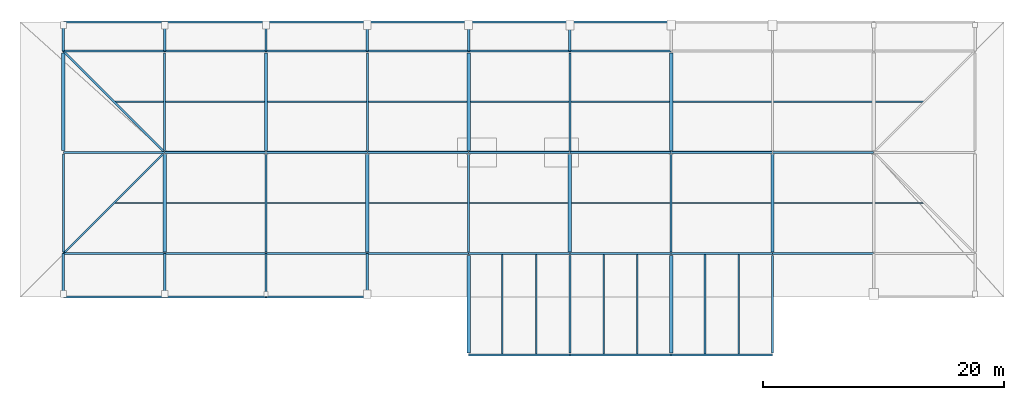
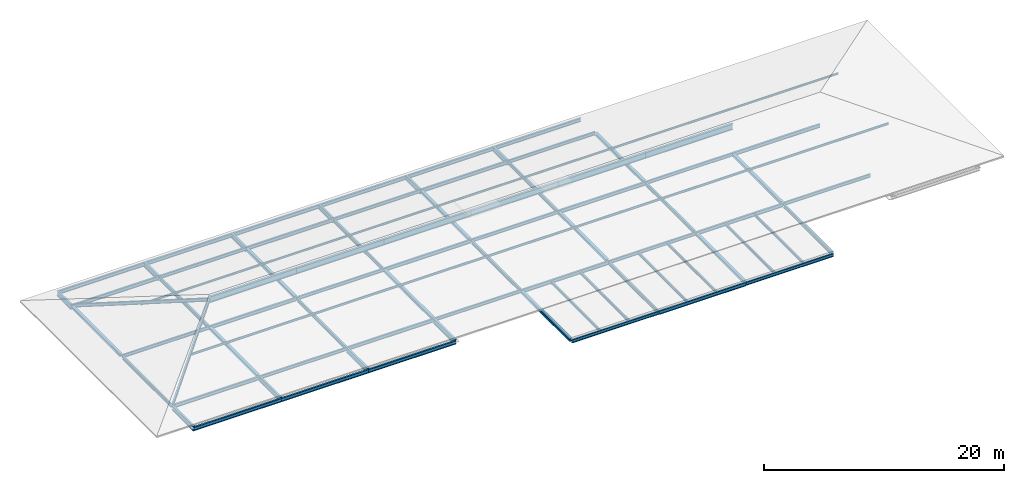
# One storey, part 3 of 5: 75 beams, 4 members.
"""IFC4 building model written with IfcOpenShell, lengths in metres."""

from ifc_helpers import new_model, si_unit, direction, frame, origin, origin_2d, place, context, subcontext, project, spatial, i_section, extrude, material, material_profile, profile_set, type_object, element, save


model = new_model("IFC4")

# Units and contexts
model_context = context("Model", 3, precision=1e-05, world=origin(), true_north=direction((0.0, 1.0)))
body_context = subcontext(model_context, "Body", "Model", "MODEL_VIEW")
ifc_project = project(units=[si_unit("LENGTHUNIT", "METRE"), si_unit("AREAUNIT", "SQUARE_METRE"), si_unit("VOLUMEUNIT", "CUBIC_METRE"), si_unit("PLANEANGLEUNIT", "RADIAN"), si_unit("MASSUNIT", "GRAM", prefix="KILO")], contexts=[model_context])

# Site, building, storey
site_placement = place(None, origin())
site = spatial("IfcSite", under=ifc_project, at=site_placement, CompositionType="ELEMENT")
building_placement = place(site_placement, origin())
building = spatial("IfcBuilding", under=site, at=building_placement, Name="Mersafa Astral City Hall", CompositionType="ELEMENT")
storey_placement = place(building_placement, frame((0.0, 0.0, 34.35009765625)))
storey = spatial("IfcBuildingStorey", under=building, at=storey_placement, Name="RF", CompositionType="ELEMENT", Elevation=34.35009765625)

# Beams
ifc_material = material(Name="Steel S355", Category="steel")
ifc_material_profile_1 = material_profile(ifc_material, i_section(OverallWidth=0.199951171875, OverallDepth=0.5, WebThickness=0.01025390625, FlangeThickness=0.01611328125, FilletRadius=0.02099609375, at=origin_2d()), Name="IPE 500")
ifc_profile_set_1 = profile_set([ifc_material_profile_1], Name="Steel S355")
beam_type_1 = type_object("IfcBeamType", Name="STR-BM-IPE500", PredefinedType="BEAM", material=ifc_profile_set_1)
beam_1_placement = place(storey_placement, frame((109.199951171875, 109.199951171875, -0.41015625), z_axis=(0.0, -1.0, 0.0), x_axis=(1.0, 0.0, 0.0)))
element("IfcBeam", 1, at=beam_1_placement, inside=storey, type_object=beam_type_1, Name="RF Cantilevered eave beam ROOF-T6-V6 S-13", PredefinedType="BEAM", context=body_context, shape_type="SweptSolid", body=[
    extrude(i_section(OverallWidth=0.199951171875, OverallDepth=0.5, WebThickness=0.01025390625, FlangeThickness=0.01611328125, FilletRadius=0.02099609375, at=origin_2d()), origin(), (0.0, 0.0, 1.0), 3.599853515625),
])
beam_2_placement = place(storey_placement, frame((109.199951171875, 126.0, -0.41015625), z_axis=(0.0, 1.0, 0.0), x_axis=(-1.0, 0.0, 0.0)))
element("IfcBeam", 2, at=beam_2_placement, inside=storey, type_object=beam_type_1, Name="RF Cantilevered eave beam ROOF-T6-V6 N-13", PredefinedType="BEAM", context=body_context, shape_type="SweptSolid", body=[
    extrude(i_section(OverallWidth=0.199951171875, OverallDepth=0.5, WebThickness=0.01025390625, FlangeThickness=0.01611328125, FilletRadius=0.02099609375, at=origin_2d()), origin(), (0.0, 0.0, 1.0), 2.39990234375),
])
beam_3_placement = place(storey_placement, frame((117.60009765625, 109.199951171875, -0.41015625), z_axis=(0.0, -1.0, 0.0), x_axis=(1.0, 0.0, 0.0)))
element("IfcBeam", 3, at=beam_3_placement, inside=storey, type_object=beam_type_1, Name="RF Cantilevered eave beam ROOF-T6-V6 S-14", PredefinedType="BEAM", context=body_context, shape_type="SweptSolid", body=[
    extrude(i_section(OverallWidth=0.199951171875, OverallDepth=0.5, WebThickness=0.01025390625, FlangeThickness=0.01611328125, FilletRadius=0.02099609375, at=origin_2d()), origin(), (0.0, 0.0, 1.0), 3.599853515625),
])
beam_4_placement = place(storey_placement, frame((117.60009765625, 126.0, -0.41015625), z_axis=(0.0, 1.0, 0.0), x_axis=(-1.0, 0.0, 0.0)))
element("IfcBeam", 4, at=beam_4_placement, inside=storey, type_object=beam_type_1, Name="RF Cantilevered eave beam ROOF-T6-V6 N-14", PredefinedType="BEAM", context=body_context, shape_type="SweptSolid", body=[
    extrude(i_section(OverallWidth=0.199951171875, OverallDepth=0.5, WebThickness=0.01025390625, FlangeThickness=0.01611328125, FilletRadius=0.02099609375, at=origin_2d()), origin(), (0.0, 0.0, 1.0), 2.39990234375),
])
beam_5_placement = place(storey_placement, frame((126.0, 109.199951171875, -0.41015625), z_axis=(0.0, -1.0, 0.0), x_axis=(1.0, 0.0, 0.0)))
element("IfcBeam", 5, at=beam_5_placement, inside=storey, type_object=beam_type_1, Name="RF Cantilevered eave beam ROOF-T6-V6 S-15", PredefinedType="BEAM", context=body_context, shape_type="SweptSolid", body=[
    extrude(i_section(OverallWidth=0.199951171875, OverallDepth=0.5, WebThickness=0.01025390625, FlangeThickness=0.01611328125, FilletRadius=0.02099609375, at=origin_2d()), origin(), (0.0, 0.0, 1.0), 3.599853515625),
])
beam_6_placement = place(storey_placement, frame((126.0, 126.0, -0.41015625), z_axis=(0.0, 1.0, 0.0), x_axis=(-1.0, 0.0, 0.0)))
element("IfcBeam", 6, at=beam_6_placement, inside=storey, type_object=beam_type_1, Name="RF Cantilevered eave beam ROOF-T6-V6 N-15", PredefinedType="BEAM", context=body_context, shape_type="SweptSolid", body=[
    extrude(i_section(OverallWidth=0.199951171875, OverallDepth=0.5, WebThickness=0.01025390625, FlangeThickness=0.01611328125, FilletRadius=0.02099609375, at=origin_2d()), origin(), (0.0, 0.0, 1.0), 2.39990234375),
])
beam_7_placement = place(storey_placement, frame((134.39990234375, 109.199951171875, -0.41015625), z_axis=(0.0, -1.0, 0.0), x_axis=(1.0, 0.0, 0.0)))
element("IfcBeam", 7, at=beam_7_placement, inside=storey, type_object=beam_type_1, Name="RF Cantilevered eave beam ROOF-T6-V6 S-16", PredefinedType="BEAM", context=body_context, shape_type="SweptSolid", body=[
    extrude(i_section(OverallWidth=0.199951171875, OverallDepth=0.5, WebThickness=0.01025390625, FlangeThickness=0.01611328125, FilletRadius=0.02099609375, at=origin_2d()), origin(), (0.0, 0.0, 1.0), 3.599853515625),
])
for number, where, z_axis, x_axis, name in (
    (8, (134.39990234375, 126.0, -0.41015625), (0.0, 1.0, 0.0), (-1.0, 0.0, 0.0), "RF Cantilevered eave beam ROOF-T6-V6 N-16"),
    (9, (142.800048828125, 126.0, -0.41015625), (0.0, 1.0, 0.0), (-1.0, 0.0, 0.0), "RF Cantilevered eave beam ROOF-T6-V6 N-17"),
    (10, (151.199951171875, 126.0, -0.41015625), (0.0, 1.0, 0.0), (-1.0, 0.0, 0.0), "RF Cantilevered eave beam ROOF-T6-V6 N-18"),
):
    element("IfcBeam", number, at=place(storey_placement, frame(where, z_axis=z_axis, x_axis=x_axis)), inside=storey, type_object=beam_type_1, Name=name, PredefinedType="BEAM", context=body_context, shape_type="SweptSolid", body=[
        extrude(i_section(OverallWidth=0.199951171875, OverallDepth=0.5, WebThickness=0.01025390625, FlangeThickness=0.01611328125, FilletRadius=0.02099609375, at=origin_2d()), origin(), (0.0, 0.0, 1.0), 2.39990234375),
    ])
ifc_material_profile_2 = material_profile(ifc_material, i_section(OverallWidth=0.219970703125, OverallDepth=0.60009765625, WebThickness=0.011962890625, FlangeThickness=0.01904296875, FilletRadius=0.02392578125, at=origin_2d()), Name="IPE 600")
ifc_profile_set_2 = profile_set([ifc_material_profile_2], Name="Steel S355")
beam_type_2 = type_object("IfcBeamType", Name="STR-BM-IPE600", PredefinedType="BEAM", material=ifc_profile_set_2)
for number, where, z_axis, x_axis, name in (
    (11, (117.60009765625, 117.60009765625, 2.521728515625), (1.0, 0.0, 0.0), (0.0, 1.0, 0.0), "RF Hipped roof ridge beam ROOF-T6-V6-1"),
    (12, (126.0, 117.60009765625, 2.521728515625), (1.0, 0.0, 0.0), (0.0, 1.0, 0.0), "RF Hipped roof ridge beam ROOF-T6-V6-2"),
):
    element("IfcBeam", number, at=place(storey_placement, frame(where, z_axis=z_axis, x_axis=x_axis)), inside=storey, type_object=beam_type_2, Name=name, PredefinedType="BEAM", context=body_context, shape_type="SweptSolid", body=[
        extrude(i_section(OverallWidth=0.219970703125, OverallDepth=0.60009765625, WebThickness=0.011962890625, FlangeThickness=0.01904296875, FilletRadius=0.02392578125, at=origin_2d()), origin(), (0.0, 0.0, 1.0), 8.39990234375),
    ])
beam_8_placement = place(storey_placement, frame((134.39990234375, 117.60009765625, 2.521728515625), z_axis=(1.0, 0.0, 0.0), x_axis=(0.0, 1.0, 0.0)))
element("IfcBeam", 13, at=beam_8_placement, inside=storey, type_object=beam_type_2, Name="RF Hipped roof ridge beam ROOF-T6-V6-3", PredefinedType="BEAM", context=body_context, shape_type="SweptSolid", body=[
    extrude(i_section(OverallWidth=0.219970703125, OverallDepth=0.60009765625, WebThickness=0.011962890625, FlangeThickness=0.01904296875, FilletRadius=0.02392578125, at=origin_2d()), origin(), (0.0, 0.0, 1.0), 8.400146484375),
])
beam_9_placement = place(storey_placement, frame((142.800048828125, 117.60009765625, 2.521728515625), z_axis=(1.0, 0.0, 0.0), x_axis=(0.0, 1.0, 0.0)))
element("IfcBeam", 14, at=beam_9_placement, inside=storey, type_object=beam_type_2, Name="RF Hipped roof ridge beam ROOF-T6-V6-4", PredefinedType="BEAM", context=body_context, shape_type="SweptSolid", body=[
    extrude(i_section(OverallWidth=0.219970703125, OverallDepth=0.60009765625, WebThickness=0.011962890625, FlangeThickness=0.01904296875, FilletRadius=0.02392578125, at=origin_2d()), origin(), (0.0, 0.0, 1.0), 8.39990234375),
])
beam_10_placement = place(storey_placement, frame((151.199951171875, 117.60009765625, 2.521728515625), z_axis=(1.0, 0.0, 0.0), x_axis=(0.0, 1.0, 0.0)))
element("IfcBeam", 15, at=beam_10_placement, inside=storey, type_object=beam_type_2, Name="RF Hipped roof ridge beam ROOF-T6-V6-5", PredefinedType="BEAM", context=body_context, shape_type="SweptSolid", body=[
    extrude(i_section(OverallWidth=0.219970703125, OverallDepth=0.60009765625, WebThickness=0.011962890625, FlangeThickness=0.01904296875, FilletRadius=0.02392578125, at=origin_2d()), origin(), (0.0, 0.0, 1.0), 8.400146484375),
])
beam_11_placement = place(storey_placement, frame((159.60009765625, 117.60009765625, 2.521728515625), z_axis=(1.0, 0.0, 0.0), x_axis=(0.0, 1.0, 0.0)))
element("IfcBeam", 16, at=beam_11_placement, inside=storey, type_object=beam_type_2, Name="RF Hipped roof ridge beam ROOF-T6-V6-6", PredefinedType="BEAM", context=body_context, shape_type="SweptSolid", body=[
    extrude(i_section(OverallWidth=0.219970703125, OverallDepth=0.60009765625, WebThickness=0.011962890625, FlangeThickness=0.01904296875, FilletRadius=0.02392578125, at=origin_2d()), origin(), (0.0, 0.0, 1.0), 8.39990234375),
])
ifc_material_profile_3 = material_profile(ifc_material, i_section(OverallWidth=0.135009765625, OverallDepth=0.27001953125, WebThickness=0.006591796875, FlangeThickness=0.01025390625, FilletRadius=0.014892578125, at=origin_2d()), Name="IPE 270")
ifc_profile_set_3 = profile_set([ifc_material_profile_3], Name="Steel S355")
beam_type_3 = type_object("IfcBeamType", Name="STR-BM-JOIST-IPE270", PredefinedType="JOIST", material=ifc_profile_set_3)
for number, where, z_axis, x_axis, name in (
    (17, (145.60009765625, 100.875, -0.335205078125), (0.0, 1.0, 0.0), (-1.0, 0.0, 0.0), "RF Flat roof secondary joist 1"),
    (18, (148.39990234375, 100.875, -0.335205078125), (0.0, 1.0, 0.0), (-1.0, 0.0, 0.0), "RF Flat roof secondary joist 2"),
    (19, (154.0, 100.8798828125, -0.335205078125), (0.0, 1.0, 0.0), (-1.0, 0.0, 0.0), "RF Flat roof secondary joist 3"),
    (20, (156.800048828125, 100.8798828125, -0.335205078125), (0.0, 1.0, 0.0), (-1.0, 0.0, 0.0), "RF Flat roof secondary joist 4"),
    (21, (162.39990234375, 100.875, -0.335205078125), (0.0, 1.0, 0.0), (-1.0, 0.0, 0.0), "RF Flat roof secondary joist 5"),
    (22, (165.199951171875, 100.875, -0.335205078125), (0.0, 1.0, 0.0), (-1.0, 0.0, 0.0), "RF Flat roof secondary joist 6"),
):
    element("IfcBeam", number, at=place(storey_placement, frame(where, z_axis=z_axis, x_axis=x_axis)), inside=storey, type_object=beam_type_3, Name=name, PredefinedType="JOIST", context=body_context, shape_type="SweptSolid", body=[
        extrude(i_section(OverallWidth=0.135009765625, OverallDepth=0.27001953125, WebThickness=0.006591796875, FlangeThickness=0.01025390625, FilletRadius=0.014892578125, at=origin_2d()), origin(), (0.0, 0.0, 1.0), 8.2451171875),
    ])
ifc_material_profile_4 = material_profile(ifc_material, i_section(OverallWidth=0.280029296875, OverallDepth=0.27001953125, WebThickness=0.008056640625, FlangeThickness=0.012939453125, FilletRadius=0.02392578125, at=origin_2d()), Name="HEA 280")
ifc_profile_set_4 = profile_set([ifc_material_profile_4], Name="Steel S355")
beam_type_4 = type_object("IfcBeamType", Name="STR-BM-SPANDREL-HEA280", PredefinedType="SPANDREL", material=ifc_profile_set_4)
beam_12_placement = place(storey_placement, frame((109.199951171875, 117.7451171875, -0.295166015625), z_axis=(0.0, 1.0, 0.0), x_axis=(-1.0, 0.0, 0.0)))
element("IfcBeam", 23, at=beam_12_placement, inside=storey, type_object=beam_type_4, Name="RF Primary girder Y 13-14", PredefinedType="SPANDREL", context=body_context, shape_type="SweptSolid", body=[
    extrude(i_section(OverallWidth=0.280029296875, OverallDepth=0.27001953125, WebThickness=0.008056640625, FlangeThickness=0.012939453125, FilletRadius=0.02392578125, at=origin_2d()), origin(), (0.0, 0.0, 1.0), 8.10986328125),
])
beam_13_placement = place(storey_placement, frame((117.60009765625, 109.344970703125, -0.295166015625), z_axis=(0.0, 1.0, 0.0), x_axis=(-1.0, 0.0, 0.0)))
element("IfcBeam", 24, at=beam_13_placement, inside=storey, type_object=beam_type_4, Name="RF Primary girder Y 14-13", PredefinedType="SPANDREL", context=body_context, shape_type="SweptSolid", body=[
    extrude(i_section(OverallWidth=0.280029296875, OverallDepth=0.27001953125, WebThickness=0.008056640625, FlangeThickness=0.012939453125, FilletRadius=0.02392578125, at=origin_2d()), origin(), (0.0, 0.0, 1.0), 8.110107421875),
])
beam_14_placement = place(storey_placement, frame((126.0, 117.7451171875, -0.295166015625), z_axis=(0.0, 1.0, 0.0), x_axis=(-1.0, 0.0, 0.0)))
element("IfcBeam", 25, at=beam_14_placement, inside=storey, type_object=beam_type_4, Name="RF Primary girder Y 15-14", PredefinedType="SPANDREL", context=body_context, shape_type="SweptSolid", body=[
    extrude(i_section(OverallWidth=0.280029296875, OverallDepth=0.27001953125, WebThickness=0.008056640625, FlangeThickness=0.012939453125, FilletRadius=0.02392578125, at=origin_2d()), origin(), (0.0, 0.0, 1.0), 8.10986328125),
])
beam_15_placement = place(storey_placement, frame((134.39990234375, 109.344970703125, -0.295166015625), z_axis=(0.0, 1.0, 0.0), x_axis=(-1.0, 0.0, 0.0)))
element("IfcBeam", 26, at=beam_15_placement, inside=storey, type_object=beam_type_4, Name="RF Primary girder Y 16-13", PredefinedType="SPANDREL", context=body_context, shape_type="SweptSolid", body=[
    extrude(i_section(OverallWidth=0.280029296875, OverallDepth=0.27001953125, WebThickness=0.008056640625, FlangeThickness=0.012939453125, FilletRadius=0.02392578125, at=origin_2d()), origin(), (0.0, 0.0, 1.0), 8.110107421875),
])
for number, where, z_axis, x_axis, name in (
    (27, (142.800048828125, 100.945068359375, -0.335205078125), (0.0, 1.0, 0.0), (-1.0, 0.0, 0.0), "RF Primary girder Y 17-12"),
    (28, (142.800048828125, 117.7451171875, -0.295166015625), (0.0, 1.0, 0.0), (-1.0, 0.0, 0.0), "RF Primary girder Y 17-14"),
):
    element("IfcBeam", number, at=place(storey_placement, frame(where, z_axis=z_axis, x_axis=x_axis)), inside=storey, type_object=beam_type_4, Name=name, PredefinedType="SPANDREL", context=body_context, shape_type="SweptSolid", body=[
        extrude(i_section(OverallWidth=0.280029296875, OverallDepth=0.27001953125, WebThickness=0.008056640625, FlangeThickness=0.012939453125, FilletRadius=0.02392578125, at=origin_2d()), origin(), (0.0, 0.0, 1.0), 8.10986328125),
    ])
beam_16_placement = place(storey_placement, frame((151.199951171875, 109.344970703125, -0.295166015625), z_axis=(0.0, 1.0, 0.0), x_axis=(-1.0, 0.0, 0.0)))
element("IfcBeam", 29, at=beam_16_placement, inside=storey, type_object=beam_type_4, Name="RF Primary girder Y 18-13", PredefinedType="SPANDREL", context=body_context, shape_type="SweptSolid", body=[
    extrude(i_section(OverallWidth=0.280029296875, OverallDepth=0.27001953125, WebThickness=0.008056640625, FlangeThickness=0.012939453125, FilletRadius=0.02392578125, at=origin_2d()), origin(), (0.0, 0.0, 1.0), 8.110107421875),
])
for number, where, z_axis, x_axis, name in (
    (30, (159.60009765625, 100.945068359375, -0.335205078125), (0.0, 1.0, 0.0), (-1.0, 0.0, 0.0), "RF Primary girder Y 19-12"),
    (31, (159.60009765625, 117.7451171875, -0.295166015625), (0.0, 1.0, 0.0), (-1.0, 0.0, 0.0), "RF Primary girder Y 19-14"),
):
    element("IfcBeam", number, at=place(storey_placement, frame(where, z_axis=z_axis, x_axis=x_axis)), inside=storey, type_object=beam_type_4, Name=name, PredefinedType="SPANDREL", context=body_context, shape_type="SweptSolid", body=[
        extrude(i_section(OverallWidth=0.280029296875, OverallDepth=0.27001953125, WebThickness=0.008056640625, FlangeThickness=0.012939453125, FilletRadius=0.02392578125, at=origin_2d()), origin(), (0.0, 0.0, 1.0), 8.10986328125),
    ])
beam_17_placement = place(storey_placement, frame((168.0, 109.344970703125, -0.295166015625), z_axis=(0.0, 1.0, 0.0), x_axis=(-1.0, 0.0, 0.0)))
element("IfcBeam", 32, at=beam_17_placement, inside=storey, type_object=beam_type_4, Name="RF Primary girder Y 20-13", PredefinedType="SPANDREL", context=body_context, shape_type="SweptSolid", body=[
    extrude(i_section(OverallWidth=0.280029296875, OverallDepth=0.27001953125, WebThickness=0.008056640625, FlangeThickness=0.012939453125, FilletRadius=0.02392578125, at=origin_2d()), origin(), (0.0, 0.0, 1.0), 8.110107421875),
])
ifc_material_profile_5 = material_profile(ifc_material, i_section(OverallWidth=0.159912109375, OverallDepth=0.330078125, WebThickness=0.007568359375, FlangeThickness=0.011474609375, FilletRadius=0.01806640625, at=origin_2d()), Name="IPE 330")
ifc_profile_set_5 = profile_set([ifc_material_profile_5], Name="Steel S355")
beam_type_5 = type_object("IfcBeamType", Name="STR-BM-SPANDREL-IPE330", PredefinedType="SPANDREL", material=ifc_profile_set_5)
for number, where, z_axis, x_axis, name in (
    (33, (142.802978515625, 100.800048828125, -0.364990234375), (1.0, 0.0, 0.0), (0.0, 1.0, 0.0), "RF Primary girder X 17-12"),
    (34, (159.60302734375, 100.800048828125, -0.364990234375), (1.0, 0.0, 0.0), (0.0, 1.0, 0.0), "RF Primary girder X 19-12"),
    (35, (117.60302734375, 109.199951171875, -0.3251953125), (1.0, 0.0, 0.0), (0.0, 1.0, 0.0), "RF Primary girder X 14-13"),
    (36, (134.403076171875, 109.199951171875, -0.3251953125), (1.0, 0.0, 0.0), (0.0, 1.0, 0.0), "RF Primary girder X 16-13"),
    (37, (151.202880859375, 109.199951171875, -0.364990234375), (1.0, 0.0, 0.0), (0.0, 1.0, 0.0), "RF Primary girder X 18-13"),
    (38, (168.0029296875, 109.199951171875, -0.3251953125), (1.0, 0.0, 0.0), (0.0, 1.0, 0.0), "RF Primary girder X 20-13"),
    (39, (109.202880859375, 117.60009765625, -0.3251953125), (1.0, 0.0, 0.0), (0.0, 1.0, 0.0), "RF Primary girder X 13-14"),
    (40, (126.0029296875, 117.60009765625, -0.3251953125), (1.0, 0.0, 0.0), (0.0, 1.0, 0.0), "RF Primary girder X 15-14"),
    (41, (142.802978515625, 117.60009765625, -0.3251953125), (1.0, 0.0, 0.0), (0.0, 1.0, 0.0), "RF Primary girder X 17-14"),
    (42, (159.60302734375, 117.60009765625, -0.3251953125), (1.0, 0.0, 0.0), (0.0, 1.0, 0.0), "RF Primary girder X 19-14"),
    (43, (117.60302734375, 126.0, -0.3251953125), (1.0, 0.0, 0.0), (0.0, 1.0, 0.0), "RF Primary girder X 14-15"),
    (44, (134.403076171875, 126.0, -0.3251953125), (1.0, 0.0, 0.0), (0.0, 1.0, 0.0), "RF Primary girder X 16-15"),
    (45, (151.202880859375, 126.0, -0.3251953125), (1.0, 0.0, 0.0), (0.0, 1.0, 0.0), "RF Primary girder X 18-15"),
):
    element("IfcBeam", number, at=place(storey_placement, frame(where, z_axis=z_axis, x_axis=x_axis)), inside=storey, type_object=beam_type_5, Name=name, PredefinedType="SPANDREL", context=body_context, shape_type="SweptSolid", body=[
        extrude(i_section(OverallWidth=0.159912109375, OverallDepth=0.330078125, WebThickness=0.007568359375, FlangeThickness=0.011474609375, FilletRadius=0.01806640625, at=origin_2d()), origin(), (0.0, 0.0, 1.0), 8.39404296875),
    ])
ifc_material_profile_6 = material_profile(ifc_material, i_section(OverallWidth=0.169921875, OverallDepth=0.360107421875, WebThickness=0.008056640625, FlangeThickness=0.0126953125, FilletRadius=0.01806640625, at=origin_2d()), Name="IPE 360")
ifc_profile_set_6 = profile_set([ifc_material_profile_6], Name="Steel S355")
beam_type_6 = type_object("IfcBeamType", Name="STR-BM-SPANDREL-IPE360", PredefinedType="SPANDREL", material=ifc_profile_set_6)
for number, where, z_axis, x_axis, name in (
    (46, (151.202880859375, 100.800048828125, -0.380126953125), (1.0, 0.0, 0.0), (0.0, 1.0, 0.0), "RF Primary girder X 18-12"),
    (47, (109.202880859375, 109.199951171875, -0.340087890625), (1.0, 0.0, 0.0), (0.0, 1.0, 0.0), "RF Primary girder X 13-13"),
    (48, (126.0029296875, 109.199951171875, -0.340087890625), (1.0, 0.0, 0.0), (0.0, 1.0, 0.0), "RF Primary girder X 15-13"),
    (49, (142.802978515625, 109.199951171875, -0.380126953125), (1.0, 0.0, 0.0), (0.0, 1.0, 0.0), "RF Primary girder X 17-13"),
    (50, (159.60302734375, 109.199951171875, -0.380126953125), (1.0, 0.0, 0.0), (0.0, 1.0, 0.0), "RF Primary girder X 19-13"),
    (51, (117.60302734375, 117.60009765625, -0.340087890625), (1.0, 0.0, 0.0), (0.0, 1.0, 0.0), "RF Primary girder X 14-14"),
    (52, (134.403076171875, 117.60009765625, -0.340087890625), (1.0, 0.0, 0.0), (0.0, 1.0, 0.0), "RF Primary girder X 16-14"),
    (53, (151.202880859375, 117.60009765625, -0.340087890625), (1.0, 0.0, 0.0), (0.0, 1.0, 0.0), "RF Primary girder X 18-14"),
    (54, (168.0029296875, 117.60009765625, -0.340087890625), (1.0, 0.0, 0.0), (0.0, 1.0, 0.0), "RF Primary girder X 20-14"),
    (55, (109.202880859375, 126.0, -0.340087890625), (1.0, 0.0, 0.0), (0.0, 1.0, 0.0), "RF Primary girder X 13-15"),
    (56, (126.0029296875, 126.0, -0.340087890625), (1.0, 0.0, 0.0), (0.0, 1.0, 0.0), "RF Primary girder X 15-15"),
    (57, (142.802978515625, 126.0, -0.340087890625), (1.0, 0.0, 0.0), (0.0, 1.0, 0.0), "RF Primary girder X 17-15"),
):
    element("IfcBeam", number, at=place(storey_placement, frame(where, z_axis=z_axis, x_axis=x_axis)), inside=storey, type_object=beam_type_6, Name=name, PredefinedType="SPANDREL", context=body_context, shape_type="SweptSolid", body=[
        extrude(i_section(OverallWidth=0.169921875, OverallDepth=0.360107421875, WebThickness=0.008056640625, FlangeThickness=0.0126953125, FilletRadius=0.01806640625, at=origin_2d()), origin(), (0.0, 0.0, 1.0), 8.39404296875),
    ])
beam_18_placement = place(storey_placement, frame((109.199951171875, 109.344970703125, -0.340087890625), z_axis=(0.0, 1.0, 0.0), x_axis=(-1.0, 0.0, 0.0)))
element("IfcBeam", 58, at=beam_18_placement, inside=storey, type_object=beam_type_6, Name="RF Primary girder Y 13-13", PredefinedType="SPANDREL", context=body_context, shape_type="SweptSolid", body=[
    extrude(i_section(OverallWidth=0.169921875, OverallDepth=0.360107421875, WebThickness=0.008056640625, FlangeThickness=0.0126953125, FilletRadius=0.01806640625, at=origin_2d()), origin(), (0.0, 0.0, 1.0), 8.110107421875),
])
beam_19_placement = place(storey_placement, frame((117.60009765625, 117.7451171875, -0.340087890625), z_axis=(0.0, 1.0, 0.0), x_axis=(-1.0, 0.0, 0.0)))
element("IfcBeam", 59, at=beam_19_placement, inside=storey, type_object=beam_type_6, Name="RF Primary girder Y 14-14", PredefinedType="SPANDREL", context=body_context, shape_type="SweptSolid", body=[
    extrude(i_section(OverallWidth=0.169921875, OverallDepth=0.360107421875, WebThickness=0.008056640625, FlangeThickness=0.0126953125, FilletRadius=0.01806640625, at=origin_2d()), origin(), (0.0, 0.0, 1.0), 8.10986328125),
])
beam_20_placement = place(storey_placement, frame((126.0, 109.344970703125, -0.340087890625), z_axis=(0.0, 1.0, 0.0), x_axis=(-1.0, 0.0, 0.0)))
element("IfcBeam", 60, at=beam_20_placement, inside=storey, type_object=beam_type_6, Name="RF Primary girder Y 15-13", PredefinedType="SPANDREL", context=body_context, shape_type="SweptSolid", body=[
    extrude(i_section(OverallWidth=0.169921875, OverallDepth=0.360107421875, WebThickness=0.008056640625, FlangeThickness=0.0126953125, FilletRadius=0.01806640625, at=origin_2d()), origin(), (0.0, 0.0, 1.0), 8.110107421875),
])
beam_21_placement = place(storey_placement, frame((134.39990234375, 117.7451171875, -0.340087890625), z_axis=(0.0, 1.0, 0.0), x_axis=(-1.0, 0.0, 0.0)))
element("IfcBeam", 61, at=beam_21_placement, inside=storey, type_object=beam_type_6, Name="RF Primary girder Y 16-14", PredefinedType="SPANDREL", context=body_context, shape_type="SweptSolid", body=[
    extrude(i_section(OverallWidth=0.169921875, OverallDepth=0.360107421875, WebThickness=0.008056640625, FlangeThickness=0.0126953125, FilletRadius=0.01806640625, at=origin_2d()), origin(), (0.0, 0.0, 1.0), 8.10986328125),
])
beam_22_placement = place(storey_placement, frame((142.800048828125, 109.344970703125, -0.340087890625), z_axis=(0.0, 1.0, 0.0), x_axis=(-1.0, 0.0, 0.0)))
element("IfcBeam", 62, at=beam_22_placement, inside=storey, type_object=beam_type_6, Name="RF Primary girder Y 17-13", PredefinedType="SPANDREL", context=body_context, shape_type="SweptSolid", body=[
    extrude(i_section(OverallWidth=0.169921875, OverallDepth=0.360107421875, WebThickness=0.008056640625, FlangeThickness=0.0126953125, FilletRadius=0.01806640625, at=origin_2d()), origin(), (0.0, 0.0, 1.0), 8.110107421875),
])
for number, where, z_axis, x_axis, name in (
    (63, (151.199951171875, 100.945068359375, -0.380126953125), (0.0, 1.0, 0.0), (-1.0, 0.0, 0.0), "RF Primary girder Y 18-12"),
    (64, (151.199951171875, 117.7451171875, -0.340087890625), (0.0, 1.0, 0.0), (-1.0, 0.0, 0.0), "RF Primary girder Y 18-14"),
):
    element("IfcBeam", number, at=place(storey_placement, frame(where, z_axis=z_axis, x_axis=x_axis)), inside=storey, type_object=beam_type_6, Name=name, PredefinedType="SPANDREL", context=body_context, shape_type="SweptSolid", body=[
        extrude(i_section(OverallWidth=0.169921875, OverallDepth=0.360107421875, WebThickness=0.008056640625, FlangeThickness=0.0126953125, FilletRadius=0.01806640625, at=origin_2d()), origin(), (0.0, 0.0, 1.0), 8.10986328125),
    ])
beam_23_placement = place(storey_placement, frame((159.60009765625, 109.344970703125, -0.340087890625), z_axis=(0.0, 1.0, 0.0), x_axis=(-1.0, 0.0, 0.0)))
element("IfcBeam", 65, at=beam_23_placement, inside=storey, type_object=beam_type_6, Name="RF Primary girder Y 19-13", PredefinedType="SPANDREL", context=body_context, shape_type="SweptSolid", body=[
    extrude(i_section(OverallWidth=0.169921875, OverallDepth=0.360107421875, WebThickness=0.008056640625, FlangeThickness=0.0126953125, FilletRadius=0.01806640625, at=origin_2d()), origin(), (0.0, 0.0, 1.0), 8.110107421875),
])
beam_24_placement = place(storey_placement, frame((168.0, 100.945068359375, -0.380126953125), z_axis=(0.0, 1.0, 0.0), x_axis=(-1.0, 0.0, 0.0)))
element("IfcBeam", 66, at=beam_24_placement, inside=storey, type_object=beam_type_6, Name="RF Primary girder Y 20-12", PredefinedType="SPANDREL", context=body_context, shape_type="SweptSolid", body=[
    extrude(i_section(OverallWidth=0.169921875, OverallDepth=0.360107421875, WebThickness=0.008056640625, FlangeThickness=0.0126953125, FilletRadius=0.01806640625, at=origin_2d()), origin(), (0.0, 0.0, 1.0), 8.10986328125),
])
beam_25_placement = place(storey_placement, frame((109.199951171875, 105.60009765625, -0.41015625), z_axis=(1.0, 0.0, 0.0), x_axis=(0.0, 1.0, 0.0)))
element("IfcBeam", 67, at=beam_25_placement, inside=storey, type_object=beam_type_6, Name="RF Hipped roof eave fascia beam ROOF-T6-V6 S-1", PredefinedType="SPANDREL", context=body_context, shape_type="SweptSolid", body=[
    extrude(i_section(OverallWidth=0.169921875, OverallDepth=0.360107421875, WebThickness=0.008056640625, FlangeThickness=0.0126953125, FilletRadius=0.01806640625, at=origin_2d()), origin(), (0.0, 0.0, 1.0), 8.400146484375),
])
for number, where, z_axis, x_axis, name in (
    (68, (117.60009765625, 105.60009765625, -0.41015625), (1.0, 0.0, 0.0), (0.0, 1.0, 0.0), "RF Hipped roof eave fascia beam ROOF-T6-V6 S-2"),
    (69, (126.0, 105.60009765625, -0.41015625), (1.0, 0.0, 0.0), (0.0, 1.0, 0.0), "RF Hipped roof eave fascia beam ROOF-T6-V6 S-3"),
):
    element("IfcBeam", number, at=place(storey_placement, frame(where, z_axis=z_axis, x_axis=x_axis)), inside=storey, type_object=beam_type_6, Name=name, PredefinedType="SPANDREL", context=body_context, shape_type="SweptSolid", body=[
        extrude(i_section(OverallWidth=0.169921875, OverallDepth=0.360107421875, WebThickness=0.008056640625, FlangeThickness=0.0126953125, FilletRadius=0.01806640625, at=origin_2d()), origin(), (0.0, 0.0, 1.0), 8.39990234375),
    ])
beam_26_placement = place(storey_placement, frame((109.199951171875, 128.39990234375, -0.41015625), z_axis=(1.0, 0.0, 0.0), x_axis=(0.0, 1.0, 0.0)))
element("IfcBeam", 70, at=beam_26_placement, inside=storey, type_object=beam_type_6, Name="RF Hipped roof eave fascia beam ROOF-T6-V6 N-1", PredefinedType="SPANDREL", context=body_context, shape_type="SweptSolid", body=[
    extrude(i_section(OverallWidth=0.169921875, OverallDepth=0.360107421875, WebThickness=0.008056640625, FlangeThickness=0.0126953125, FilletRadius=0.01806640625, at=origin_2d()), origin(), (0.0, 0.0, 1.0), 8.400146484375),
])
for number, where, z_axis, x_axis, name in (
    (71, (117.60009765625, 128.39990234375, -0.41015625), (1.0, 0.0, 0.0), (0.0, 1.0, 0.0), "RF Hipped roof eave fascia beam ROOF-T6-V6 N-2"),
    (72, (126.0, 128.39990234375, -0.41015625), (1.0, 0.0, 0.0), (0.0, 1.0, 0.0), "RF Hipped roof eave fascia beam ROOF-T6-V6 N-3"),
):
    element("IfcBeam", number, at=place(storey_placement, frame(where, z_axis=z_axis, x_axis=x_axis)), inside=storey, type_object=beam_type_6, Name=name, PredefinedType="SPANDREL", context=body_context, shape_type="SweptSolid", body=[
        extrude(i_section(OverallWidth=0.169921875, OverallDepth=0.360107421875, WebThickness=0.008056640625, FlangeThickness=0.0126953125, FilletRadius=0.01806640625, at=origin_2d()), origin(), (0.0, 0.0, 1.0), 8.39990234375),
    ])
beam_27_placement = place(storey_placement, frame((134.39990234375, 128.39990234375, -0.41015625), z_axis=(1.0, 0.0, 0.0), x_axis=(0.0, 1.0, 0.0)))
element("IfcBeam", 73, at=beam_27_placement, inside=storey, type_object=beam_type_6, Name="RF Hipped roof eave fascia beam ROOF-T6-V6 N-4", PredefinedType="SPANDREL", context=body_context, shape_type="SweptSolid", body=[
    extrude(i_section(OverallWidth=0.169921875, OverallDepth=0.360107421875, WebThickness=0.008056640625, FlangeThickness=0.0126953125, FilletRadius=0.01806640625, at=origin_2d()), origin(), (0.0, 0.0, 1.0), 8.400146484375),
])
beam_28_placement = place(storey_placement, frame((142.800048828125, 128.39990234375, -0.41015625), z_axis=(1.0, 0.0, 0.0), x_axis=(0.0, 1.0, 0.0)))
element("IfcBeam", 74, at=beam_28_placement, inside=storey, type_object=beam_type_6, Name="RF Hipped roof eave fascia beam ROOF-T6-V6 N-5", PredefinedType="SPANDREL", context=body_context, shape_type="SweptSolid", body=[
    extrude(i_section(OverallWidth=0.169921875, OverallDepth=0.360107421875, WebThickness=0.008056640625, FlangeThickness=0.0126953125, FilletRadius=0.01806640625, at=origin_2d()), origin(), (0.0, 0.0, 1.0), 8.39990234375),
])
beam_29_placement = place(storey_placement, frame((151.199951171875, 128.39990234375, -0.41015625), z_axis=(1.0, 0.0, 0.0), x_axis=(0.0, 1.0, 0.0)))
element("IfcBeam", 75, at=beam_29_placement, inside=storey, type_object=beam_type_6, Name="RF Hipped roof eave fascia beam ROOF-T6-V6 N-6", PredefinedType="SPANDREL", context=body_context, shape_type="SweptSolid", body=[
    extrude(i_section(OverallWidth=0.169921875, OverallDepth=0.360107421875, WebThickness=0.008056640625, FlangeThickness=0.0126953125, FilletRadius=0.01806640625, at=origin_2d()), origin(), (0.0, 0.0, 1.0), 8.400146484375),
])

# Members
ifc_material_profile_7 = material_profile(ifc_material, i_section(OverallWidth=0.10009765625, OverallDepth=0.199951171875, WebThickness=0.005615234375, FlangeThickness=0.008544921875, FilletRadius=0.011962890625, at=origin_2d()), Name="IPE 200")
ifc_profile_set_7 = profile_set([ifc_material_profile_7], Name="Steel S355")
member_type_1 = type_object("IfcMemberType", Name="STR-MBR-PURLIN-IPE200", PredefinedType="PURLIN", material=ifc_profile_set_7)
member_1_placement = place(storey_placement, frame((113.39990234375, 121.800048828125, 0.935791015625), z_axis=(1.0, 0.0, 0.0), x_axis=(0.0, 1.0, 0.0)))
element("IfcMember", 76, at=member_1_placement, inside=storey, type_object=member_type_1, Name="RF Terracotta roof purlin ROOF-T6-V6-N", PredefinedType="PURLIN", context=body_context, shape_type="SweptSolid", body=[
    extrude(i_section(OverallWidth=0.10009765625, OverallDepth=0.199951171875, WebThickness=0.005615234375, FlangeThickness=0.008544921875, FilletRadius=0.011962890625, at=origin_2d()), origin(), (0.0, 0.0, 1.0), 67.2001953125),
])
ifc_material_profile_8 = material_profile(ifc_material, i_section(OverallWidth=0.110107421875, OverallDepth=0.219970703125, WebThickness=0.005859375, FlangeThickness=0.00927734375, FilletRadius=0.011962890625, at=origin_2d()), Name="IPE 220")
ifc_profile_set_8 = profile_set([ifc_material_profile_8], Name="Steel S355")
member_type_2 = type_object("IfcMemberType", Name="STR-MBR-PURLIN-IPE220", PredefinedType="PURLIN", material=ifc_profile_set_8)
member_2_placement = place(storey_placement, frame((113.39990234375, 113.39990234375, 0.935791015625), z_axis=(1.0, 0.0, 0.0), x_axis=(0.0, 1.0, 0.0)))
element("IfcMember", 77, at=member_2_placement, inside=storey, type_object=member_type_2, Name="RF Terracotta roof purlin ROOF-T6-V6-S", PredefinedType="PURLIN", context=body_context, shape_type="SweptSolid", body=[
    extrude(i_section(OverallWidth=0.110107421875, OverallDepth=0.219970703125, WebThickness=0.005859375, FlangeThickness=0.00927734375, FilletRadius=0.011962890625, at=origin_2d()), origin(), (0.0, 0.0, 1.0), 67.2001953125),
])
ifc_material_profile_9 = material_profile(ifc_material, i_section(OverallWidth=0.159912109375, OverallDepth=0.330078125, WebThickness=0.007568359375, FlangeThickness=0.011474609375, FilletRadius=0.01806640625, at=origin_2d()), Name="IPE 330")
ifc_profile_set_9 = profile_set([ifc_material_profile_9], Name="Steel S355")
member_type_3 = type_object("IfcMemberType", Name="STR-MBR-RAFTER-IPE330", PredefinedType="RAFTER", material=ifc_profile_set_9)
member_3_placement = place(storey_placement, frame((109.199951171875, 109.199951171875, -0.25), z_axis=(0.688612011529, 0.688612011529, 0.227215745834), x_axis=(-0.707106781187, 0.707106781187, 0.0)))
element("IfcMember", 78, at=member_3_placement, inside=storey, type_object=member_type_3, Name="RF Hipped roof corner hip rafter ROOF-T6-V6-1", PredefinedType="RAFTER", context=body_context, shape_type="SweptSolid", body=[
    extrude(i_section(OverallWidth=0.159912109375, OverallDepth=0.330078125, WebThickness=0.007568359375, FlangeThickness=0.011474609375, FilletRadius=0.01806640625, at=origin_2d()), origin(), (0.0, 0.0, 1.0), 12.19873046875),
])
member_4_placement = place(storey_placement, frame((109.199951171875, 126.0, -0.25), z_axis=(0.688621501823, -0.688601487829, 0.227218877269), x_axis=(0.707096505339, 0.707117056885, 0.0)))
element("IfcMember", 79, at=member_4_placement, inside=storey, type_object=member_type_3, Name="RF Hipped roof corner hip rafter ROOF-T6-V6-4", PredefinedType="RAFTER", context=body_context, shape_type="SweptSolid", body=[
    extrude(i_section(OverallWidth=0.159912109375, OverallDepth=0.330078125, WebThickness=0.007568359375, FlangeThickness=0.011474609375, FilletRadius=0.01806640625, at=origin_2d()), origin(), (0.0, 0.0, 1.0), 12.198486328125),
])

save(model, "model.ifc")
